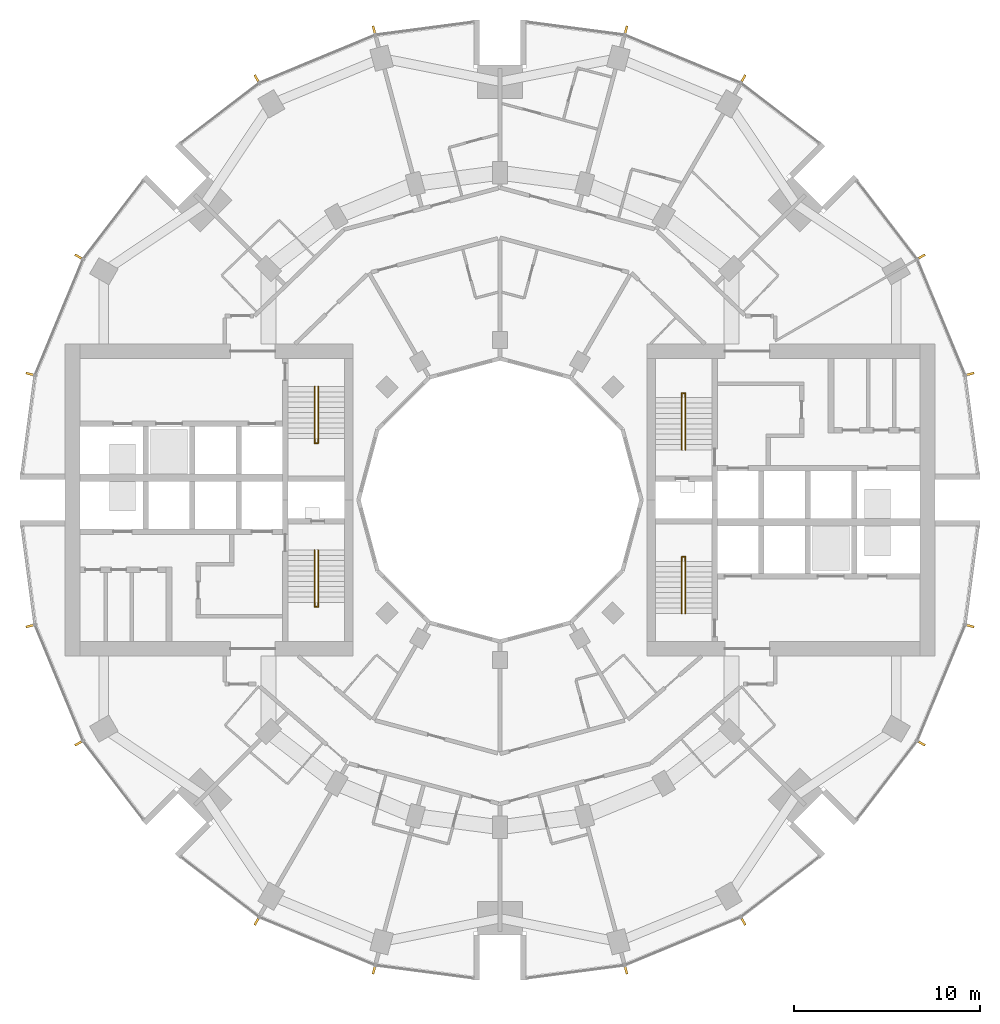
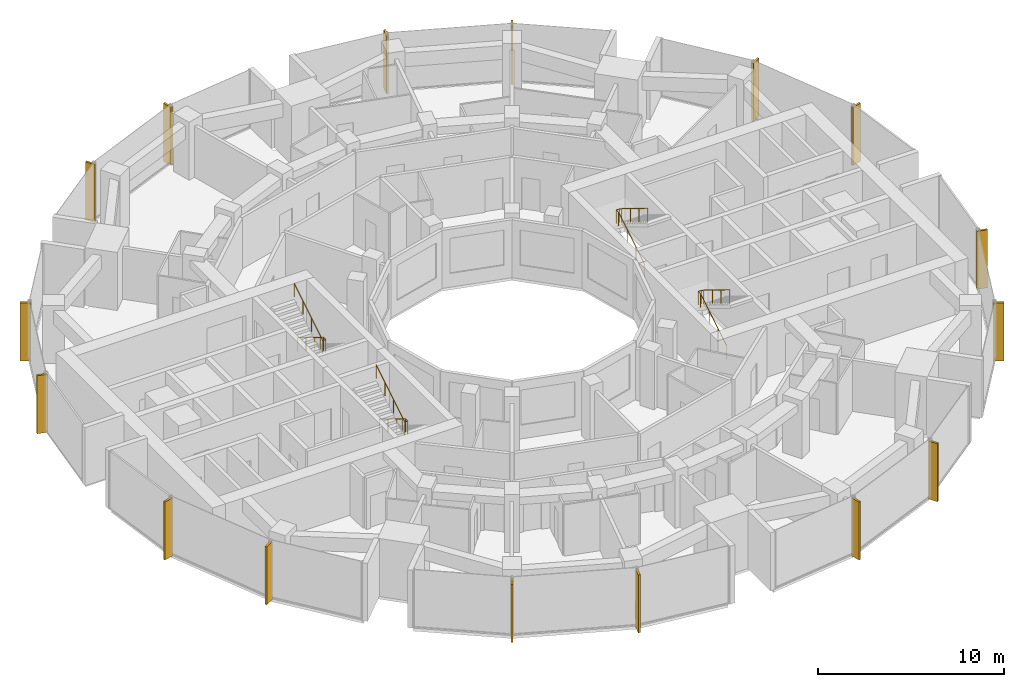
# One storey, part 14 of 15: 16 shading devices, 4 railings.
"""IFC4 building model written with IfcOpenShell, lengths in metres."""

from ifc_helpers import new_model, si_unit, direction, frame, origin, origin_2d, place, context, subcontext, project, spatial, rectangle, circle, extrude, material, material_profile, profile_set, type_object, element, save


model = new_model("IFC4")

# Units and contexts
model_context = context("Model", 3, precision=1e-05, world=origin(), true_north=direction((0.0, 1.0)))
body_context = subcontext(model_context, "Body", "Model", "MODEL_VIEW")
ifc_project = project(units=[si_unit("LENGTHUNIT", "METRE"), si_unit("AREAUNIT", "SQUARE_METRE"), si_unit("VOLUMEUNIT", "CUBIC_METRE"), si_unit("PLANEANGLEUNIT", "RADIAN"), si_unit("MASSUNIT", "GRAM", prefix="KILO")], contexts=[model_context])

# Site, building, storey
site_placement = place(None, origin())
site = spatial("IfcSite", under=ifc_project, at=site_placement, CompositionType="ELEMENT")
building_placement = place(site_placement, origin())
building = spatial("IfcBuilding", under=site, at=building_placement, Name="Torre Brocal", CompositionType="ELEMENT")
storey_placement = place(building_placement, frame((0.0, 0.0, 105.199951171875)))
storey = spatial("IfcBuildingStorey", under=building, at=storey_placement, Name="L24", CompositionType="ELEMENT", Elevation=105.199951171875)

# Shading devices
ifc_material_1 = material(Name="Aluminium, black anodised", Category="aluminium")
ifc_material_profile = material_profile(ifc_material_1, rectangle(XDim=0.1201171875, YDim=0.60009765625, at=origin_2d()), Name="FIN 120X600 3800 HIGH")
ifc_profile_set = profile_set([ifc_material_profile], Name="Aluminium, black anodised")
shading_device_type = type_object("IfcShadingDeviceType", Name="FIN 120X600 3800 HIGH", PredefinedType="USERDEFINED", material=ifc_profile_set)
for number, where, z_axis, x_axis, name in (
    (1, (105.208984375, 81.754638671875, -0.14990234375), (0.0, 0.0, 1.0), (-0.258819045103, 0.965925826289, 0.0), "FIN"),
    (2, (102.601806640625, 88.049072265625, -0.14990234375), (0.0, 0.0, 1.0), (-0.5, 0.866025403784, 0.0), "FIN"),
    (3, (93.049072265625, 97.601806640625, -0.14990234375), (0.0, 0.0, 1.0), (-0.866025403784, 0.5, 0.0), "FIN"),
    (4, (86.754638671875, 100.208984375, -0.14990234375), (0.0, 0.0, 1.0), (-0.965925826289, 0.258819045103, 0.0), "FIN"),
    (5, (73.245361328125, 100.208984375, -0.14990234375), (0.0, 0.0, 1.0), (-0.965925826289, -0.258819045103, 0.0), "FIN"),
    (6, (66.950927734375, 97.601806640625, -0.14990234375), (0.0, 0.0, 1.0), (-0.866025403784, -0.5, 0.0), "FIN"),
    (7, (57.398193359375, 88.049072265625, -0.14990234375), (0.0, 0.0, 1.0), (-0.5, -0.866025403784, 0.0), "FIN"),
    (8, (54.791015625, 81.754638671875, -0.14990234375), (0.0, 0.0, 1.0), (-0.258819045103, -0.965925826289, 0.0), "FIN"),
    (9, (54.791015625, 68.245361328125, -0.14990234375), (0.0, 0.0, 1.0), (0.258819045103, -0.965925826289, 0.0), "FIN"),
    (10, (57.398193359375, 61.950927734375, -0.14990234375), (0.0, 0.0, 1.0), (0.5, -0.866025403784, 0.0), "FIN"),
    (11, (66.950927734375, 52.398193359375, -0.14990234375), (0.0, 0.0, 1.0), (0.866025403784, -0.5, 0.0), "FIN"),
    (12, (73.245361328125, 49.791015625, -0.14990234375), (0.0, 0.0, 1.0), (0.965925826289, -0.258819045103, 0.0), "FIN"),
    (13, (86.754638671875, 49.791015625, -0.14990234375), (0.0, 0.0, 1.0), (0.965925826289, 0.258819045103, 0.0), "FIN"),
    (14, (93.049072265625, 52.398193359375, -0.14990234375), (0.0, 0.0, 1.0), (0.866025403784, 0.5, 0.0), "FIN"),
    (15, (102.601806640625, 61.950927734375, -0.14990234375), (0.0, 0.0, 1.0), (0.5, 0.866025403784, 0.0), "FIN"),
    (16, (105.208984375, 68.245361328125, -0.14990234375), (0.0, 0.0, 1.0), (0.258819045103, 0.965925826289, 0.0), "FIN"),
):
    element("IfcShadingDevice", number, at=place(storey_placement, frame(where, z_axis=z_axis, x_axis=x_axis)), inside=storey, type_object=shading_device_type, Name=name, ObjectType="FIN", PredefinedType="USERDEFINED", context=body_context, shape_type="SweptSolid", body=[
        extrude(rectangle(XDim=0.1201171875, YDim=0.60009765625, at=origin_2d()), origin(), (0.0, 0.0, 1.0), 3.800048828125),
    ])

# Railings
ifc_material_2 = material(Name="Stainless steel AISI 316", Category="steel")
railing_type = type_object("IfcRailingType", Name="STAIR HANDRAIL", PredefinedType="HANDRAIL", material=ifc_material_2)
railing_1_placement = place(storey_placement, frame((89.780029296875, 77.699951171875, 0.1728515625)))
element("IfcRailing", 17, at=railing_1_placement, inside=storey, type_object=railing_type, Name="HANDRAIL ST1", PredefinedType="HANDRAIL", context=body_context, shape_type="SweptSolid", body=[
    extrude(circle(Radius=0.02392578125, at=origin_2d()), frame((0.0, 0.0, 0.8759765625), z_axis=(0.0, 0.851089632645, 0.525020415988), x_axis=(-1.0, 0.0, 0.0)), (0.0, 0.0, 1.0), 3.2900390625),
    extrude(circle(Radius=0.02392578125, at=origin_2d()), frame((0.0, 2.800048828125, 2.60302734375), z_axis=(0.0, 1.0, 0.0), x_axis=(-1.0, 0.0, 0.0)), (0.0, 0.0, 1.0), 0.25),
    extrude(circle(Radius=0.02392578125, at=origin_2d()), frame((0.0, 3.050048828125, 2.60302734375), z_axis=(1.0, 0.0, 0.0), x_axis=(0.0, 1.0, 0.0)), (0.0, 0.0, 1.0), 0.18994140625),
    extrude(circle(Radius=0.02392578125, at=origin_2d()), frame((0.18994140625, 3.050048828125, 2.60302734375), z_axis=(0.0, -0.822914792866, 0.568164803277), x_axis=(1.0, 0.0, 0.0)), (0.0, 0.0, 1.0), 0.3037109375),
    extrude(circle(Radius=0.02392578125, at=origin_2d()), frame((0.18994140625, 2.800048828125, 2.77587890625), z_axis=(0.0, -0.851089632645, 0.525020415988), x_axis=(1.0, 0.0, 0.0)), (0.0, 0.0, 1.0), 3.2900390625),
    extrude(circle(Radius=0.02099609375, at=origin_2d()), origin(), (0.0, 0.0, 1.0), 0.851806640625),
    extrude(circle(Radius=0.02099609375, at=origin_2d()), frame((0.0, 0.933349609375, 0.57568359375)), (0.0, 0.0, 1.0), 0.851806640625),
    extrude(circle(Radius=0.02099609375, at=origin_2d()), frame((0.0, 1.86669921875, 1.151611328125)), (0.0, 0.0, 1.0), 0.851806640625),
    extrude(circle(Radius=0.02099609375, at=origin_2d()), frame((0.0, 2.800048828125, 1.727294921875)), (0.0, 0.0, 1.0), 0.851806640625),
    extrude(circle(Radius=0.02099609375, at=origin_2d()), frame((0.0, 3.050048828125, 1.727294921875)), (0.0, 0.0, 1.0), 0.851806640625),
    extrude(circle(Radius=0.02099609375, at=origin_2d()), frame((0.18994140625, 3.050048828125, 1.727294921875)), (0.0, 0.0, 1.0), 0.851806640625),
    extrude(circle(Radius=0.02099609375, at=origin_2d()), frame((0.18994140625, 2.800048828125, 1.89990234375)), (0.0, 0.0, 1.0), 0.851806640625),
    extrude(circle(Radius=0.02099609375, at=origin_2d()), frame((0.18994140625, 1.86669921875, 2.4755859375)), (0.0, 0.0, 1.0), 0.851806640625),
    extrude(circle(Radius=0.02099609375, at=origin_2d()), frame((0.18994140625, 0.933349609375, 3.051513671875)), (0.0, 0.0, 1.0), 0.851806640625),
    extrude(circle(Radius=0.02099609375, at=origin_2d()), frame((0.18994140625, 0.0, 3.627197265625)), (0.0, 0.0, 1.0), 0.851806640625),
])
railing_2_placement = place(storey_placement, frame((89.780029296875, 68.89990234375, 0.1728515625)))
element("IfcRailing", 18, at=railing_2_placement, inside=storey, type_object=railing_type, Name="HANDRAIL ST2", PredefinedType="HANDRAIL", context=body_context, shape_type="SweptSolid", body=[
    extrude(circle(Radius=0.02392578125, at=origin_2d()), frame((0.0, 0.0, 0.8759765625), z_axis=(0.0, 0.851089632645, 0.525020415988), x_axis=(-1.0, 0.0, 0.0)), (0.0, 0.0, 1.0), 3.2900390625),
    extrude(circle(Radius=0.02392578125, at=origin_2d()), frame((0.0, 2.800048828125, 2.60302734375), z_axis=(0.0, 1.0, 0.0), x_axis=(-1.0, 0.0, 0.0)), (0.0, 0.0, 1.0), 0.25),
    extrude(circle(Radius=0.02392578125, at=origin_2d()), frame((0.0, 3.050048828125, 2.60302734375), z_axis=(1.0, 0.0, 0.0), x_axis=(0.0, 1.0, 0.0)), (0.0, 0.0, 1.0), 0.18994140625),
    extrude(circle(Radius=0.02392578125, at=origin_2d()), frame((0.18994140625, 3.050048828125, 2.60302734375), z_axis=(0.0, -0.822914792866, 0.568164803277), x_axis=(1.0, 0.0, 0.0)), (0.0, 0.0, 1.0), 0.3037109375),
    extrude(circle(Radius=0.02392578125, at=origin_2d()), frame((0.18994140625, 2.800048828125, 2.77587890625), z_axis=(0.0, -0.851089632645, 0.525020415988), x_axis=(1.0, 0.0, 0.0)), (0.0, 0.0, 1.0), 3.2900390625),
    extrude(circle(Radius=0.02099609375, at=origin_2d()), origin(), (0.0, 0.0, 1.0), 0.851806640625),
    extrude(circle(Radius=0.02099609375, at=origin_2d()), frame((0.0, 0.933349609375, 0.57568359375)), (0.0, 0.0, 1.0), 0.851806640625),
    extrude(circle(Radius=0.02099609375, at=origin_2d()), frame((0.0, 1.86669921875, 1.151611328125)), (0.0, 0.0, 1.0), 0.851806640625),
    extrude(circle(Radius=0.02099609375, at=origin_2d()), frame((0.0, 2.800048828125, 1.727294921875)), (0.0, 0.0, 1.0), 0.851806640625),
    extrude(circle(Radius=0.02099609375, at=origin_2d()), frame((0.0, 3.050048828125, 1.727294921875)), (0.0, 0.0, 1.0), 0.851806640625),
    extrude(circle(Radius=0.02099609375, at=origin_2d()), frame((0.18994140625, 3.050048828125, 1.727294921875)), (0.0, 0.0, 1.0), 0.851806640625),
    extrude(circle(Radius=0.02099609375, at=origin_2d()), frame((0.18994140625, 2.800048828125, 1.89990234375)), (0.0, 0.0, 1.0), 0.851806640625),
    extrude(circle(Radius=0.02099609375, at=origin_2d()), frame((0.18994140625, 1.86669921875, 2.4755859375)), (0.0, 0.0, 1.0), 0.851806640625),
    extrude(circle(Radius=0.02099609375, at=origin_2d()), frame((0.18994140625, 0.933349609375, 3.051513671875)), (0.0, 0.0, 1.0), 0.851806640625),
    extrude(circle(Radius=0.02099609375, at=origin_2d()), frame((0.18994140625, 0.0, 3.627197265625)), (0.0, 0.0, 1.0), 0.851806640625),
])
railing_3_placement = place(storey_placement, frame((70.219970703125, 72.300048828125, 0.1728515625)))
element("IfcRailing", 19, at=railing_3_placement, inside=storey, type_object=railing_type, Name="HANDRAIL ST3", PredefinedType="HANDRAIL", context=body_context, shape_type="SweptSolid", body=[
    extrude(circle(Radius=0.02392578125, at=origin_2d()), frame((0.0, 0.0, 0.8759765625), z_axis=(0.0, -0.851089632645, 0.525020415988), x_axis=(1.0, 0.0, 0.0)), (0.0, 0.0, 1.0), 3.2900390625),
    extrude(circle(Radius=0.02392578125, at=origin_2d()), frame((0.0, -2.800048828125, 2.60302734375), z_axis=(0.0, -1.0, 0.0), x_axis=(1.0, 0.0, 0.0)), (0.0, 0.0, 1.0), 0.25),
    extrude(circle(Radius=0.02392578125, at=origin_2d()), frame((0.0, -3.050048828125, 2.60302734375), z_axis=(-1.0, 0.0, 0.0), x_axis=(0.0, -1.0, 0.0)), (0.0, 0.0, 1.0), 0.18994140625),
    extrude(circle(Radius=0.02392578125, at=origin_2d()), frame((-0.18994140625, -3.050048828125, 2.60302734375), z_axis=(0.0, 0.822914792866, 0.568164803277), x_axis=(-1.0, 0.0, 0.0)), (0.0, 0.0, 1.0), 0.3037109375),
    extrude(circle(Radius=0.02392578125, at=origin_2d()), frame((-0.18994140625, -2.800048828125, 2.77587890625), z_axis=(0.0, 0.851089632645, 0.525020415988), x_axis=(-1.0, 0.0, 0.0)), (0.0, 0.0, 1.0), 3.2900390625),
    extrude(circle(Radius=0.02099609375, at=origin_2d()), origin(), (0.0, 0.0, 1.0), 0.851806640625),
    extrude(circle(Radius=0.02099609375, at=origin_2d()), frame((0.0, -0.933349609375, 0.57568359375)), (0.0, 0.0, 1.0), 0.851806640625),
    extrude(circle(Radius=0.02099609375, at=origin_2d()), frame((0.0, -1.86669921875, 1.151611328125)), (0.0, 0.0, 1.0), 0.851806640625),
    extrude(circle(Radius=0.02099609375, at=origin_2d()), frame((0.0, -2.800048828125, 1.727294921875)), (0.0, 0.0, 1.0), 0.851806640625),
    extrude(circle(Radius=0.02099609375, at=origin_2d()), frame((0.0, -3.050048828125, 1.727294921875)), (0.0, 0.0, 1.0), 0.851806640625),
    extrude(circle(Radius=0.02099609375, at=origin_2d()), frame((-0.18994140625, -3.050048828125, 1.727294921875)), (0.0, 0.0, 1.0), 0.851806640625),
    extrude(circle(Radius=0.02099609375, at=origin_2d()), frame((-0.18994140625, -2.800048828125, 1.89990234375)), (0.0, 0.0, 1.0), 0.851806640625),
    extrude(circle(Radius=0.02099609375, at=origin_2d()), frame((-0.18994140625, -1.86669921875, 2.4755859375)), (0.0, 0.0, 1.0), 0.851806640625),
    extrude(circle(Radius=0.02099609375, at=origin_2d()), frame((-0.18994140625, -0.933349609375, 3.051513671875)), (0.0, 0.0, 1.0), 0.851806640625),
    extrude(circle(Radius=0.02099609375, at=origin_2d()), frame((-0.18994140625, 0.0, 3.627197265625)), (0.0, 0.0, 1.0), 0.851806640625),
])
railing_4_placement = place(storey_placement, frame((70.219970703125, 81.10009765625, 0.1728515625)))
element("IfcRailing", 20, at=railing_4_placement, inside=storey, type_object=railing_type, Name="HANDRAIL ST4", PredefinedType="HANDRAIL", context=body_context, shape_type="SweptSolid", body=[
    extrude(circle(Radius=0.02392578125, at=origin_2d()), frame((0.0, 0.0, 0.8759765625), z_axis=(0.0, -0.851089632645, 0.525020415988), x_axis=(1.0, 0.0, 0.0)), (0.0, 0.0, 1.0), 3.2900390625),
    extrude(circle(Radius=0.02392578125, at=origin_2d()), frame((0.0, -2.800048828125, 2.60302734375), z_axis=(0.0, -1.0, 0.0), x_axis=(1.0, 0.0, 0.0)), (0.0, 0.0, 1.0), 0.25),
    extrude(circle(Radius=0.02392578125, at=origin_2d()), frame((0.0, -3.050048828125, 2.60302734375), z_axis=(-1.0, 0.0, 0.0), x_axis=(0.0, -1.0, 0.0)), (0.0, 0.0, 1.0), 0.18994140625),
    extrude(circle(Radius=0.02392578125, at=origin_2d()), frame((-0.18994140625, -3.050048828125, 2.60302734375), z_axis=(0.0, 0.822914792866, 0.568164803277), x_axis=(-1.0, 0.0, 0.0)), (0.0, 0.0, 1.0), 0.3037109375),
    extrude(circle(Radius=0.02392578125, at=origin_2d()), frame((-0.18994140625, -2.800048828125, 2.77587890625), z_axis=(0.0, 0.851089632645, 0.525020415988), x_axis=(-1.0, 0.0, 0.0)), (0.0, 0.0, 1.0), 3.2900390625),
    extrude(circle(Radius=0.02099609375, at=origin_2d()), origin(), (0.0, 0.0, 1.0), 0.851806640625),
    extrude(circle(Radius=0.02099609375, at=origin_2d()), frame((0.0, -0.933349609375, 0.57568359375)), (0.0, 0.0, 1.0), 0.851806640625),
    extrude(circle(Radius=0.02099609375, at=origin_2d()), frame((0.0, -1.86669921875, 1.151611328125)), (0.0, 0.0, 1.0), 0.851806640625),
    extrude(circle(Radius=0.02099609375, at=origin_2d()), frame((0.0, -2.800048828125, 1.727294921875)), (0.0, 0.0, 1.0), 0.851806640625),
    extrude(circle(Radius=0.02099609375, at=origin_2d()), frame((0.0, -3.050048828125, 1.727294921875)), (0.0, 0.0, 1.0), 0.851806640625),
    extrude(circle(Radius=0.02099609375, at=origin_2d()), frame((-0.18994140625, -3.050048828125, 1.727294921875)), (0.0, 0.0, 1.0), 0.851806640625),
    extrude(circle(Radius=0.02099609375, at=origin_2d()), frame((-0.18994140625, -2.800048828125, 1.89990234375)), (0.0, 0.0, 1.0), 0.851806640625),
    extrude(circle(Radius=0.02099609375, at=origin_2d()), frame((-0.18994140625, -1.86669921875, 2.4755859375)), (0.0, 0.0, 1.0), 0.851806640625),
    extrude(circle(Radius=0.02099609375, at=origin_2d()), frame((-0.18994140625, -0.933349609375, 3.051513671875)), (0.0, 0.0, 1.0), 0.851806640625),
    extrude(circle(Radius=0.02099609375, at=origin_2d()), frame((-0.18994140625, 0.0, 3.627197265625)), (0.0, 0.0, 1.0), 0.851806640625),
])

save(model, "model.ifc")
